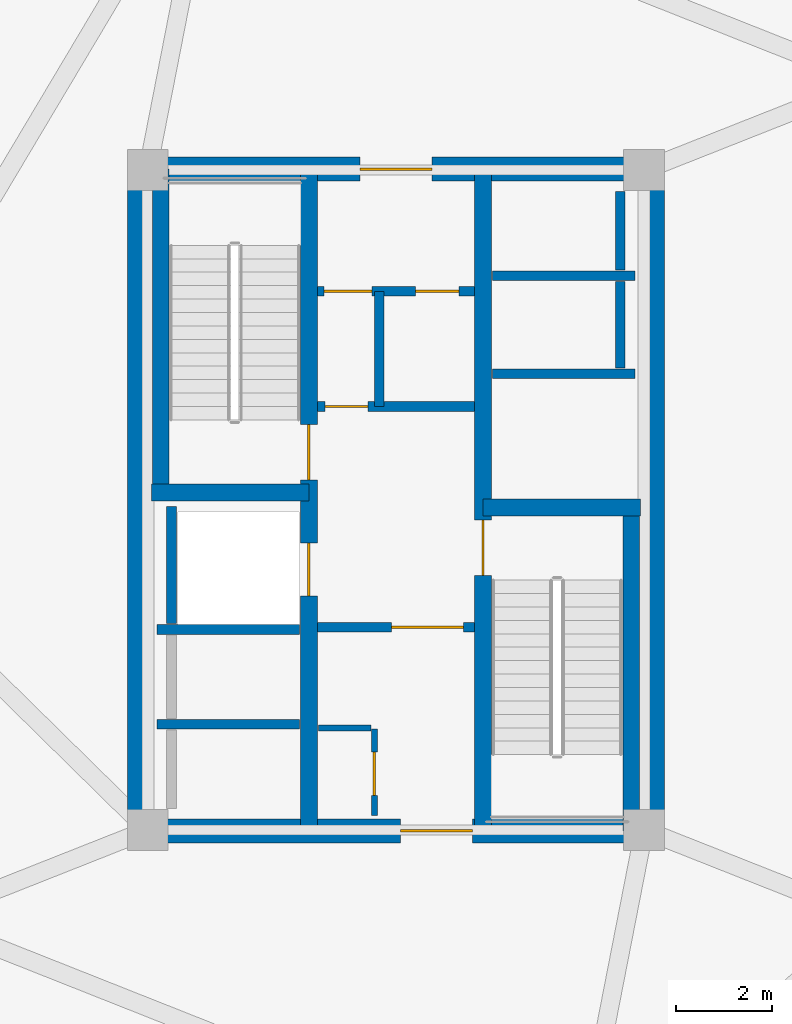
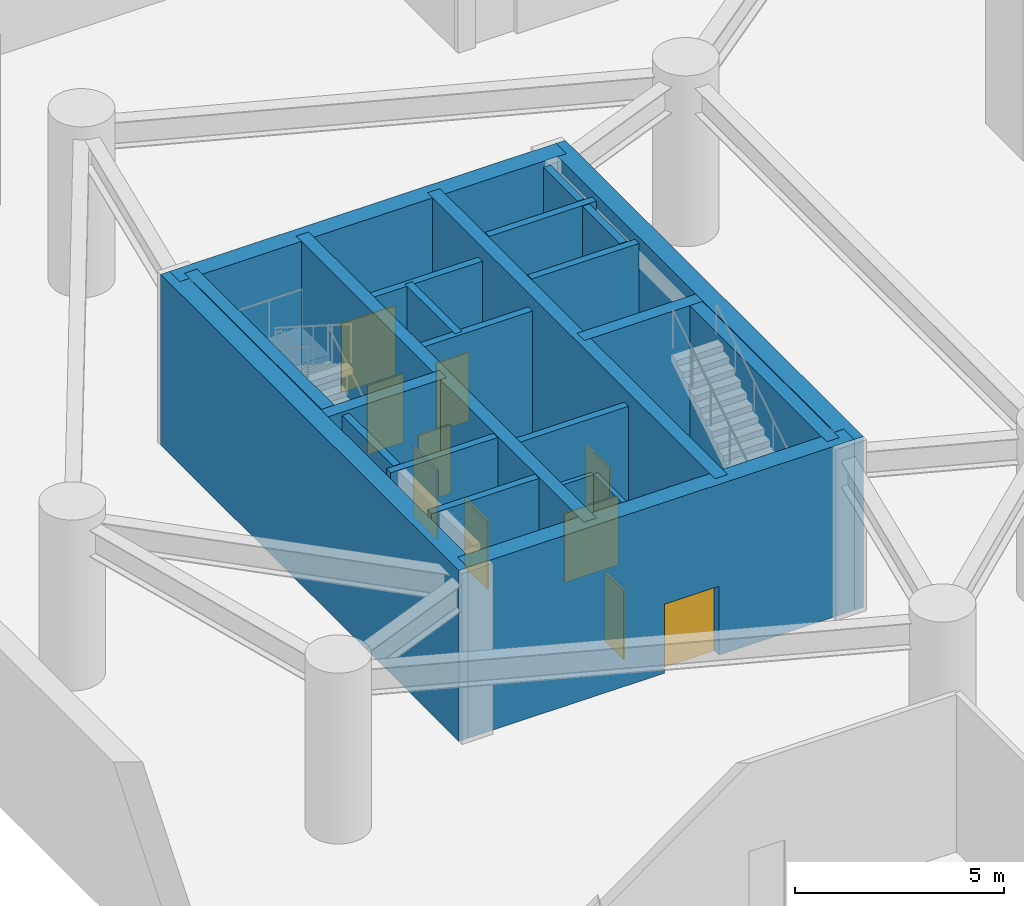
# One storey, part 5 of 14: 23 walls, 10 doors, 10 openings.
"""IFC4 building model written with IfcOpenShell, lengths in metres."""

from ifc_helpers import new_model, si_unit, direction, frame, frame_2d, origin, place, context, subcontext, project, spatial, rectangle, extrude, source, transform, mapped, material, layer, layer_set, type_object, element, fill, save


model = new_model("IFC4")

# Units and contexts
model_context = context("Model", 3, precision=1e-05, world=origin(), true_north=direction((0.0, 1.0)))
body_context = subcontext(model_context, "Body", "Model", "MODEL_VIEW")
ifc_project = project(units=[si_unit("LENGTHUNIT", "METRE"), si_unit("AREAUNIT", "SQUARE_METRE"), si_unit("VOLUMEUNIT", "CUBIC_METRE"), si_unit("PLANEANGLEUNIT", "RADIAN"), si_unit("MASSUNIT", "GRAM", prefix="KILO")], contexts=[model_context])

# Site, building, storey
site_placement = place(None, origin())
site = spatial("IfcSite", under=ifc_project, at=site_placement, CompositionType="ELEMENT")
building_placement = place(site_placement, origin())
building = spatial("IfcBuilding", under=site, at=building_placement, Name="Cununo Teusaquillo Station Towers", CompositionType="ELEMENT")
storey_placement = place(building_placement, frame((0.0, 0.0, -5.0)))
storey = spatial("IfcBuildingStorey", under=building, at=storey_placement, Name="B01", CompositionType="ELEMENT", Elevation=-5.0)

# Walls
ifc_material_1 = material(Name="Concrete C50/60", Category="concrete")
ifc_layer_1 = layer(ifc_material_1, 0.199951171875)
ifc_layer_set_1 = layer_set([ifc_layer_1], Name="Concrete C50/60")
wall_type_1 = type_object("IfcWallType", Name="WL-CORE-200", PredefinedType="SHEAR", material=ifc_layer_set_1)
wall_1_placement = place(storey_placement, frame((11.52001953125, 21.800048828125, 0.0), z_axis=(0.0, 0.0, 1.0), x_axis=(1.0, 0.0, 0.0)))
element("IfcWall", 1, at=wall_1_placement, inside=storey, type_object=wall_type_1, Name="B01 Tower A Firefighting Lift Shaft South Shear Wall", PredefinedType="SHEAR", context=body_context, shape_type="SweptSolid", body=[
    extrude(rectangle(XDim=2.969970703125, YDim=0.199951171875, at=frame_2d((1.48486328125, 0.0))), origin(), (0.0, 0.0, 1.0), 5.0),
])
wall_2_placement = place(storey_placement, frame((11.820068359375, 21.919921875, 0.0), z_axis=(0.0, 0.0, 1.0), x_axis=(0.0, 1.0, 0.0)))
element("IfcWall", 2, at=wall_2_placement, inside=storey, type_object=wall_type_1, Name="B01 Tower A Firefighting Lift Shaft Rear Shear Wall", PredefinedType="SHEAR", context=body_context, shape_type="SweptSolid", body=[
    extrude(rectangle(XDim=2.440185546875, YDim=0.199951171875, at=frame_2d((1.22021484375, 0.0))), origin(), (0.0, 0.0, 1.0), 5.0),
])
for number, where, z_axis, x_axis, name in (
    (3, (11.52001953125, 19.824951171875, 0.0), (0.0, 0.0, 1.0), (1.0, 0.0, 0.0), "B01 Tower A High-Rise Lift Hoistway Divider Shear Wall"),
    (4, (18.510009765625, 27.1298828125, 0.0), (0.0, 0.0, 1.0), (1.0, 0.0, 0.0), "B01 Tower A Low-Rise Lift Hoistway South Shear Wall"),
    (5, (18.510009765625, 29.175048828125, 0.0), (0.0, 0.0, 1.0), (1.0, 0.0, 0.0), "B01 Tower A Low-Rise Lift Hoistway Divider Shear Wall"),
):
    element("IfcWall", number, at=place(storey_placement, frame(where, z_axis=z_axis, x_axis=x_axis)), inside=storey, type_object=wall_type_1, Name=name, PredefinedType="SHEAR", context=body_context, shape_type="SweptSolid", body=[
        extrude(rectangle(XDim=2.969970703125, YDim=0.199951171875, at=frame_2d((1.48486328125, 0.0))), origin(), (0.0, 0.0, 1.0), 5.0),
    ])
wall_3_placement = place(storey_placement, frame((21.179931640625, 27.25, 0.0), z_axis=(0.0, 0.0, 1.0), x_axis=(0.0, 1.0, 0.0)))
element("IfcWall", 6, at=wall_3_placement, inside=storey, type_object=wall_type_1, Name="B01 Tower A Low-Rise Lift 1 Shaft Rear Shear Wall", PredefinedType="SHEAR", context=body_context, shape_type="SweptSolid", body=[
    extrude(rectangle(XDim=1.804931640625, YDim=0.199951171875, at=frame_2d((0.90234375, 0.0))), origin(), (0.0, 0.0, 1.0), 5.0),
])
wall_4_placement = place(storey_placement, frame((21.179931640625, 29.294921875, 0.0), z_axis=(0.0, 0.0, 1.0), x_axis=(0.0, 1.0, 0.0)))
element("IfcWall", 7, at=wall_4_placement, inside=storey, type_object=wall_type_1, Name="B01 Tower A Low-Rise Lift 2 Shaft Rear Shear Wall", PredefinedType="SHEAR", context=body_context, shape_type="SweptSolid", body=[
    extrude(rectangle(XDim=1.635009765625, YDim=0.199951171875, at=frame_2d((0.8173828125, 0.0))), origin(), (0.0, 0.0, 1.0), 5.0),
])

# Wall, openings, doors
ifc_material_2 = material(Name="Concrete C50/60", Category="concrete")
ifc_layer_2 = layer(ifc_material_2, 0.35009765625)
ifc_layer_set_2 = layer_set([ifc_layer_2], Name="Concrete C50/60")
wall_type_2 = type_object("IfcWallType", Name="WL-CORE-350", PredefinedType="SHEAR", material=ifc_layer_set_2)
wall_5_placement = place(storey_placement, frame((14.68505859375, 17.60009765625, 0.0), z_axis=(0.0, 0.0, 1.0), x_axis=(0.0, 1.0, 0.0)))
wall_5 = element("IfcWall", 8, at=wall_5_placement, inside=storey, type_object=wall_type_2, Name="B01 Tower A Core Shear Wall IW", PredefinedType="SHEAR", context=body_context, shape_type="SweptSolid", body=[
    extrude(rectangle(XDim=13.7998046875, YDim=0.35009765625, at=frame_2d((6.89990234375, 0.0))), origin(), (0.0, 0.0, 1.0), 5.0),
])
shared_shape_1 = source(origin(), body_context, "Body", "SweptSolid", [
    extrude(rectangle(XDim=1.10009765625, YDim=2.014892578125, at=frame_2d((0.550048828125, 1.00732421875))), frame((0.0, 0.18505859375, 0.0), z_axis=(0.0, -1.0, 0.0), x_axis=(1.0, 0.0, 0.0)), (0.0, 0.0, 1.0), 0.3701171875),
])
opening_1_placement = place(wall_5_placement, frame((4.89990234375, 0.0, 0.0)))
opening_1 = element("IfcOpeningElement", 9, at=opening_1_placement, cuts=wall_5, Name="Opening LD-01", PredefinedType="OPENING", context=body_context, shape_type="MappedRepresentation", body=[
    mapped(shared_shape_1, transform((0.0, 0.0, 0.0), x_axis=(1.0, 0.0, 0.0), y_axis=(0.0, 1.0, 0.0), z_axis=(0.0, 0.0, 1.0), scale=1.0)),
])
shared_shape_2 = source(origin(), body_context, "Body", "SweptSolid", [
    extrude(rectangle(XDim=1.14990234375, YDim=2.02001953125, at=frame_2d((0.574951171875, 1.010009765625))), frame((0.0, 0.18505859375, 0.0), z_axis=(0.0, -1.0, 0.0), x_axis=(1.0, 0.0, 0.0)), (0.0, 0.0, 1.0), 0.3701171875),
])
opening_2_placement = place(wall_5_placement, frame((7.320068359375, 0.0, 0.0)))
opening_2 = element("IfcOpeningElement", 10, at=opening_2_placement, cuts=wall_5, Name="Opening D-ST1", PredefinedType="OPENING", context=body_context, shape_type="MappedRepresentation", body=[
    mapped(shared_shape_2, transform((0.0, 0.0, 0.0), x_axis=(1.0, 0.0, 0.0), y_axis=(0.0, 1.0, 0.0), z_axis=(0.0, 0.0, 1.0), scale=1.0)),
])
ifc_material_3 = material(Name="Galvanised fire-rated hollow steel door assembly", Category="steel")
door_type_1 = type_object("IfcDoorType", Name="DR-LIFT-1100", OperationType="SLIDING_TO_LEFT", PredefinedType="DOOR", material=ifc_material_3)
shared_shape_3 = source(origin(), body_context, "Body", "SweptSolid", [
    extrude(rectangle(XDim=1.10009765625, YDim=2.014892578125, at=frame_2d((0.550048828125, 1.00732421875))), frame((0.0, 0.02490234375, 0.0), z_axis=(0.0, -1.0, 0.0), x_axis=(1.0, 0.0, 0.0)), (0.0, 0.0, 1.0), 0.050048828125),
])
door_1_placement = place(opening_1_placement, origin())
door_1 = element("IfcDoor", 11, at=door_1_placement, inside=storey, type_object=door_type_1, Name="B01 Lift FL-T1 Sliding Landing Door", OperationType="SLIDING_TO_RIGHT", OverallHeight=2.014892578125, OverallWidth=1.10009765625, PredefinedType="DOOR", context=body_context, shape_type="MappedRepresentation", body=[
    mapped(shared_shape_3, transform((0.0, 0.0, 0.0), x_axis=(1.0, 0.0, 0.0), y_axis=(0.0, 1.0, 0.0), z_axis=(0.0, 0.0, 1.0), scale=1.0)),
])
fill(opening_1, door_1)
ifc_material_4 = material(Name="Galvanised fire-rated hollow steel door assembly", Category="steel")
door_type_2 = type_object("IfcDoorType", Name="DR-STAIR-1150", OperationType="NOTDEFINED", PredefinedType="DOOR", material=ifc_material_4)
shared_shape_4 = source(origin(), body_context, "Body", "SweptSolid", [
    extrude(rectangle(XDim=1.14990234375, YDim=2.02001953125, at=frame_2d((0.574951171875, 1.010009765625))), frame((0.0, 0.02490234375, 0.0), z_axis=(0.0, -1.0, 0.0), x_axis=(1.0, 0.0, 0.0)), (0.0, 0.0, 1.0), 0.050048828125),
])
door_2_placement = place(opening_2_placement, origin())
door_2 = element("IfcDoor", 12, at=door_2_placement, inside=storey, type_object=door_type_2, Name="B01 Tower A Exit Stair 1 Fire Door", OperationType="SINGLE_SWING_RIGHT", OverallHeight=2.02001953125, OverallWidth=1.14990234375, PredefinedType="DOOR", context=body_context, shape_type="MappedRepresentation", body=[
    mapped(shared_shape_4, transform((0.0, 0.0, 0.0), x_axis=(1.0, 0.0, 0.0), y_axis=(0.0, 1.0, 0.0), z_axis=(0.0, 0.0, 1.0), scale=1.0)),
])
fill(opening_2, door_2)

# Wall, opening, door
wall_6_placement = place(storey_placement, frame((18.31494140625, 17.60009765625, 0.0), z_axis=(0.0, 0.0, 1.0), x_axis=(0.0, 1.0, 0.0)))
wall_6 = element("IfcWall", 13, at=wall_6_placement, inside=storey, type_object=wall_type_2, Name="B01 Tower A Core Shear Wall IE", PredefinedType="SHEAR", context=body_context, shape_type="SweptSolid", body=[
    extrude(rectangle(XDim=13.7998046875, YDim=0.35009765625, at=frame_2d((6.89990234375, 0.0))), origin(), (0.0, 0.0, 1.0), 5.0),
])
opening_3_placement = place(wall_6_placement, frame((5.330078125, 0.0, 0.0)))
opening_3 = element("IfcOpeningElement", 14, at=opening_3_placement, cuts=wall_6, Name="Opening D-ST1", PredefinedType="OPENING", context=body_context, shape_type="MappedRepresentation", body=[
    mapped(shared_shape_2, transform((0.0, 0.0, 0.0), x_axis=(1.0, 0.0, 0.0), y_axis=(0.0, 1.0, 0.0), z_axis=(0.0, 0.0, 1.0), scale=1.0)),
])
door_3_placement = place(opening_3_placement, origin())
door_3 = element("IfcDoor", 15, at=door_3_placement, inside=storey, type_object=door_type_2, Name="B01 Tower A Exit Stair 2 Fire Door", OperationType="SINGLE_SWING_LEFT", OverallHeight=2.02001953125, OverallWidth=1.14990234375, PredefinedType="DOOR", context=body_context, shape_type="MappedRepresentation", body=[
    mapped(shared_shape_4, transform((0.0, 0.0, 0.0), x_axis=(1.0, 0.0, 0.0), y_axis=(0.0, 1.0, 0.0), z_axis=(0.0, 0.0, 1.0), scale=1.0)),
])
fill(opening_3, door_3)

# Walls
wall_7_placement = place(storey_placement, frame((11.594970703125, 24.655029296875, 0.0), z_axis=(0.0, 0.0, 1.0), x_axis=(0.0, 1.0, 0.0)))
element("IfcWall", 16, at=wall_7_placement, inside=storey, type_object=wall_type_2, Name="B01 Tower A Core Shear Wall ST1W", PredefinedType="SHEAR", context=body_context, shape_type="SweptSolid", body=[
    extrude(rectangle(XDim=6.744873046875, YDim=0.35009765625, at=frame_2d((3.37255859375, 0.0))), origin(), (0.0, 0.0, 1.0), 5.0),
])
wall_8_placement = place(storey_placement, frame((11.39990234375, 24.655029296875, 0.0), z_axis=(0.0, 0.0, 1.0), x_axis=(1.0, 0.0, 0.0)))
element("IfcWall", 17, at=wall_8_placement, inside=storey, type_object=wall_type_2, Name="B01 Tower A Core Shear Wall ST1S", PredefinedType="SHEAR", context=body_context, shape_type="SweptSolid", body=[
    extrude(rectangle(XDim=3.28515625, YDim=0.35009765625, at=frame_2d((1.642578125, 0.0))), origin(), (0.0, 0.0, 1.0), 5.0),
])
wall_9_placement = place(storey_placement, frame((21.405029296875, 17.60009765625, 0.0), z_axis=(0.0, 0.0, 1.0), x_axis=(0.0, 1.0, 0.0)))
element("IfcWall", 18, at=wall_9_placement, inside=storey, type_object=wall_type_2, Name="B01 Tower A Core Shear Wall ST2E", PredefinedType="SHEAR", context=body_context, shape_type="SweptSolid", body=[
    extrude(rectangle(XDim=6.744873046875, YDim=0.35009765625, at=frame_2d((3.37255859375, 0.0))), origin(), (0.0, 0.0, 1.0), 5.0),
])
wall_10_placement = place(storey_placement, frame((18.31494140625, 24.344970703125, 0.0), z_axis=(0.0, 0.0, 1.0), x_axis=(1.0, 0.0, 0.0)))
element("IfcWall", 19, at=wall_10_placement, inside=storey, type_object=wall_type_2, Name="B01 Tower A Core Shear Wall ST2N", PredefinedType="SHEAR", context=body_context, shape_type="SweptSolid", body=[
    extrude(rectangle(XDim=3.28515625, YDim=0.35009765625, at=frame_2d((1.642578125, 0.0))), origin(), (0.0, 0.0, 1.0), 5.0),
])
ifc_material_5 = material(Name="Concrete C60/75", Category="concrete")
ifc_layer_3 = layer(ifc_material_5, 0.5)
ifc_layer_set_3 = layer_set([ifc_layer_3], Name="Concrete C60/75")
wall_type_3 = type_object("IfcWallType", Name="WL-CORE-500", PredefinedType="SHEAR", material=ifc_layer_set_3)
for number, where, z_axis, x_axis, name in (
    (20, (11.14990234375, 17.35009765625, 0.0), (0.0, 0.0, 1.0), (0.0, 1.0, 0.0), "B01 Tower A Core Shear Wall W"),
    (21, (21.85009765625, 17.35009765625, 0.0), (0.0, 0.0, 1.0), (0.0, 1.0, 0.0), "B01 Tower A Core Shear Wall E"),
):
    element("IfcWall", number, at=place(storey_placement, frame(where, z_axis=z_axis, x_axis=x_axis)), inside=storey, type_object=wall_type_3, Name=name, PredefinedType="SHEAR", context=body_context, shape_type="SweptSolid", body=[
        extrude(rectangle(XDim=14.2998046875, YDim=0.5, at=frame_2d((7.14990234375, 0.0))), origin(), (0.0, 0.0, 1.0), 5.0),
    ])

# Wall, opening, door
wall_11_placement = place(storey_placement, frame((11.14990234375, 17.60009765625, 0.0), z_axis=(0.0, 0.0, 1.0), x_axis=(1.0, 0.0, 0.0)))
wall_11 = element("IfcWall", 22, at=wall_11_placement, inside=storey, type_object=wall_type_3, Name="B01 Tower A Core Shear Wall S", PredefinedType="SHEAR", context=body_context, shape_type="SweptSolid", body=[
    extrude(rectangle(XDim=10.7001953125, YDim=0.5, at=frame_2d((5.35009765625, 0.0))), origin(), (0.0, 0.0, 1.0), 5.0),
])
shared_shape_5 = source(origin(), body_context, "Body", "SweptSolid", [
    extrude(rectangle(XDim=1.5, YDim=2.02001953125, at=frame_2d((0.75, 1.010009765625))), frame((0.0, 0.260009765625, 0.0), z_axis=(0.0, -1.0, 0.0), x_axis=(1.0, 0.0, 0.0)), (0.0, 0.0, 1.0), 0.52001953125),
])
opening_4_placement = place(wall_11_placement, frame((5.449951171875, 0.0, 0.0)))
opening_4 = element("IfcOpeningElement", 23, at=opening_4_placement, cuts=wall_11, Name="Opening D-LB1", PredefinedType="OPENING", context=body_context, shape_type="MappedRepresentation", body=[
    mapped(shared_shape_5, transform((0.0, 0.0, 0.0), x_axis=(1.0, 0.0, 0.0), y_axis=(0.0, 1.0, 0.0), z_axis=(0.0, 0.0, 1.0), scale=1.0)),
])
ifc_material_6 = material(Name="Galvanised fire-rated hollow steel door assembly", Category="steel")
door_type_3 = type_object("IfcDoorType", Name="DR-LOBBY-1500", OperationType="DOUBLE_DOOR_SINGLE_SWING", PredefinedType="DOOR", material=ifc_material_6)
shared_shape_6 = source(origin(), body_context, "Body", "SweptSolid", [
    extrude(rectangle(XDim=1.5, YDim=2.02001953125, at=frame_2d((0.75, 1.010009765625))), frame((0.0, 0.02490234375, 0.0), z_axis=(0.0, -1.0, 0.0), x_axis=(1.0, 0.0, 0.0)), (0.0, 0.0, 1.0), 0.050048828125),
])
door_4_placement = place(opening_4_placement, origin())
door_4 = element("IfcDoor", 24, at=door_4_placement, inside=storey, type_object=door_type_3, Name="B01 Tower A South Core Lift Lobby Door", OperationType="DOUBLE_DOOR_SINGLE_SWING", OverallHeight=2.02001953125, OverallWidth=1.5, PredefinedType="DOOR", context=body_context, shape_type="MappedRepresentation", body=[
    mapped(shared_shape_6, transform((0.0, 0.0, 0.0), x_axis=(1.0, 0.0, 0.0), y_axis=(0.0, 1.0, 0.0), z_axis=(0.0, 0.0, 1.0), scale=1.0)),
])
fill(opening_4, door_4)

wall_12_placement = place(storey_placement, frame((11.14990234375, 31.39990234375, 0.0), z_axis=(0.0, 0.0, 1.0), x_axis=(1.0, 0.0, 0.0)))
wall_12 = element("IfcWall", 25, at=wall_12_placement, inside=storey, type_object=wall_type_3, Name="B01 Tower A Core Shear Wall N", PredefinedType="SHEAR", context=body_context, shape_type="SweptSolid", body=[
    extrude(rectangle(XDim=10.7001953125, YDim=0.5, at=frame_2d((5.35009765625, 0.0))), origin(), (0.0, 0.0, 1.0), 5.0),
])
opening_5_placement = place(wall_12_placement, frame((4.60009765625, 0.0, 0.0)))
opening_5 = element("IfcOpeningElement", 26, at=opening_5_placement, cuts=wall_12, Name="Opening D-LB1", PredefinedType="OPENING", context=body_context, shape_type="MappedRepresentation", body=[
    mapped(shared_shape_5, transform((0.0, 0.0, 0.0), x_axis=(1.0, 0.0, 0.0), y_axis=(0.0, 1.0, 0.0), z_axis=(0.0, 0.0, 1.0), scale=1.0)),
])
door_5_placement = place(opening_5_placement, origin())
door_5 = element("IfcDoor", 27, at=door_5_placement, inside=storey, type_object=door_type_3, Name="B01 Tower A North Core Lift Lobby Door", OperationType="DOUBLE_DOOR_SINGLE_SWING", OverallHeight=2.02001953125, OverallWidth=1.5, PredefinedType="DOOR", context=body_context, shape_type="MappedRepresentation", body=[
    mapped(shared_shape_6, transform((0.0, 0.0, 0.0), x_axis=(1.0, 0.0, 0.0), y_axis=(0.0, 1.0, 0.0), z_axis=(0.0, 0.0, 1.0), scale=1.0)),
])
fill(opening_5, door_5)

ifc_material_7 = material(Name="Fire-rated gypsum plasterboard partition assembly", Category="gypsum")
ifc_layer_4 = layer(ifc_material_7, 0.125)
ifc_layer_set_4 = layer_set([ifc_layer_4], Name="Fire-rated gypsum plasterboard partition assembly")
wall_type_4 = type_object("IfcWallType", Name="WL-PART-125", PredefinedType="PARTITIONING", material=ifc_layer_set_4)
wall_13_placement = place(storey_placement, frame((16.050048828125, 17.919921875, 0.0), z_axis=(0.0, 0.0, 1.0), x_axis=(0.0, 1.0, 0.0)))
wall_13 = element("IfcWall", 28, at=wall_13_placement, inside=storey, type_object=wall_type_4, Name="B01 Tower A South-West Compact Store East Wall", PredefinedType="PARTITIONING", context=body_context, shape_type="SweptSolid", body=[
    extrude(rectangle(XDim=1.800048828125, YDim=0.125, at=frame_2d((0.89990234375, 0.0))), origin(), (0.0, 0.0, 1.0), 4.60498046875),
])
shared_shape_7 = source(origin(), body_context, "Body", "SweptSolid", [
    extrude(rectangle(XDim=0.89990234375, YDim=2.0048828125, at=frame_2d((0.449951171875, 1.00244140625))), frame((0.0, 0.072509765625, 0.0), z_axis=(0.0, -1.0, 0.0), x_axis=(1.0, 0.0, 0.0)), (0.0, 0.0, 1.0), 0.14501953125),
])
opening_6_placement = place(wall_13_placement, frame((0.419921875, 0.0, 0.0)))
opening_6 = element("IfcOpeningElement", 29, at=opening_6_placement, cuts=wall_13, Name="Opening D-SR1", PredefinedType="OPENING", context=body_context, shape_type="MappedRepresentation", body=[
    mapped(shared_shape_7, transform((0.0, 0.0, 0.0), x_axis=(1.0, 0.0, 0.0), y_axis=(0.0, 1.0, 0.0), z_axis=(0.0, 0.0, 1.0), scale=1.0)),
])
ifc_material_8 = material(Name="Galvanised fire-rated hollow steel door assembly", Category="steel")
door_type_4 = type_object("IfcDoorType", Name="DR-STORE-900", OperationType="NOTDEFINED", PredefinedType="DOOR", material=ifc_material_8)
shared_shape_8 = source(origin(), body_context, "Body", "SweptSolid", [
    extrude(rectangle(XDim=0.89990234375, YDim=2.0048828125, at=frame_2d((0.449951171875, 1.00244140625))), frame((0.0, 0.02490234375, 0.0), z_axis=(0.0, -1.0, 0.0), x_axis=(1.0, 0.0, 0.0)), (0.0, 0.0, 1.0), 0.050048828125),
])
door_6_placement = place(opening_6_placement, origin())
door_6 = element("IfcDoor", 30, at=door_6_placement, inside=storey, type_object=door_type_4, Name="B01 Tower A Core Electrical & Comms Store Door", OperationType="SINGLE_SWING_RIGHT", OverallHeight=2.0048828125, OverallWidth=0.89990234375, PredefinedType="DOOR", context=body_context, shape_type="MappedRepresentation", body=[
    mapped(shared_shape_8, transform((0.0, 0.0, 0.0), x_axis=(1.0, 0.0, 0.0), y_axis=(0.0, 1.0, 0.0), z_axis=(0.0, 0.0, 1.0), scale=1.0)),
])
fill(opening_6, door_6)

# Wall
wall_14_placement = place(storey_placement, frame((14.8798828125, 19.75, 0.0), z_axis=(0.0, 0.0, 1.0), x_axis=(1.0, 0.0, 0.0)))
element("IfcWall", 31, at=wall_14_placement, inside=storey, type_object=wall_type_4, Name="B01 Tower A South-West Compact Store North Wall", PredefinedType="PARTITIONING", context=body_context, shape_type="SweptSolid", body=[
    extrude(rectangle(XDim=1.10009765625, YDim=0.125, at=frame_2d((0.550048828125, 0.0))), origin(), (0.0, 0.0, 1.0), 4.60498046875),
])

# Wall, opening, door
ifc_material_9 = material(Name="Fire-rated gypsum plasterboard partition assembly", Category="gypsum")
ifc_layer_5 = layer(ifc_material_9, 0.199951171875)
ifc_layer_set_5 = layer_set([ifc_layer_5], Name="Fire-rated gypsum plasterboard partition assembly")
wall_type_5 = type_object("IfcWallType", Name="WL-PART-200", PredefinedType="PARTITIONING", material=ifc_layer_set_5)
wall_15_placement = place(storey_placement, frame((14.860107421875, 21.85009765625, 0.0), z_axis=(0.0, 0.0, 1.0), x_axis=(1.0, 0.0, 0.0)))
wall_15 = element("IfcWall", 32, at=wall_15_placement, inside=storey, type_object=wall_type_5, Name="B01 Tower A Firefighting Lift Lobby South Fire Wall", PredefinedType="PARTITIONING", context=body_context, shape_type="SweptSolid", body=[
    extrude(rectangle(XDim=3.27978515625, YDim=0.199951171875, at=frame_2d((1.639892578125, 0.0))), origin(), (0.0, 0.0, 1.0), 4.60498046875),
])
shared_shape_9 = source(origin(), body_context, "Body", "SweptSolid", [
    extrude(rectangle(XDim=1.5, YDim=2.02001953125, at=frame_2d((0.75, 1.010009765625))), frame((0.0, 0.10986328125, 0.0), z_axis=(0.0, -1.0, 0.0), x_axis=(1.0, 0.0, 0.0)), (0.0, 0.0, 1.0), 0.219970703125),
])
opening_7_placement = place(wall_15_placement, frame((1.550048828125, 0.0, 0.0)))
opening_7 = element("IfcOpeningElement", 33, at=opening_7_placement, cuts=wall_15, Name="Opening D-LB1", PredefinedType="OPENING", context=body_context, shape_type="MappedRepresentation", body=[
    mapped(shared_shape_9, transform((0.0, 0.0, 0.0), x_axis=(1.0, 0.0, 0.0), y_axis=(0.0, 1.0, 0.0), z_axis=(0.0, 0.0, 1.0), scale=1.0)),
])
door_7_placement = place(opening_7_placement, origin())
door_7 = element("IfcDoor", 34, at=door_7_placement, inside=storey, type_object=door_type_3, Name="B01 Tower A Firefighting Lift Lobby South Fire Door", OperationType="DOUBLE_DOOR_SINGLE_SWING", OverallHeight=2.02001953125, OverallWidth=1.5, PredefinedType="DOOR", context=body_context, shape_type="MappedRepresentation", body=[
    mapped(shared_shape_6, transform((0.0, 0.0, 0.0), x_axis=(1.0, 0.0, 0.0), y_axis=(0.0, 1.0, 0.0), z_axis=(0.0, 0.0, 1.0), scale=1.0)),
])
fill(opening_7, door_7)

wall_16_placement = place(storey_placement, frame((14.860107421875, 26.449951171875, 0.0), z_axis=(0.0, 0.0, 1.0), x_axis=(1.0, 0.0, 0.0)))
wall_16 = element("IfcWall", 35, at=wall_16_placement, inside=storey, type_object=wall_type_5, Name="B01 Tower A Firefighting Lift Lobby North Fire Wall", PredefinedType="PARTITIONING", context=body_context, shape_type="SweptSolid", body=[
    extrude(rectangle(XDim=3.27978515625, YDim=0.199951171875, at=frame_2d((1.639892578125, 0.0))), origin(), (0.0, 0.0, 1.0), 4.60498046875),
])
shared_shape_10 = source(origin(), body_context, "Body", "SweptSolid", [
    extrude(rectangle(XDim=0.89990234375, YDim=2.0048828125, at=frame_2d((0.449951171875, 1.00244140625))), frame((0.0, 0.10986328125, 0.0), z_axis=(0.0, -1.0, 0.0), x_axis=(1.0, 0.0, 0.0)), (0.0, 0.0, 1.0), 0.219970703125),
])
opening_8_placement = place(wall_16_placement, frame((0.159912109375, 0.0, 0.0)))
opening_8 = element("IfcOpeningElement", 36, at=opening_8_placement, cuts=wall_16, Name="Opening D-SR1", PredefinedType="OPENING", context=body_context, shape_type="MappedRepresentation", body=[
    mapped(shared_shape_10, transform((0.0, 0.0, 0.0), x_axis=(1.0, 0.0, 0.0), y_axis=(0.0, 1.0, 0.0), z_axis=(0.0, 0.0, 1.0), scale=1.0)),
])
door_8_placement = place(opening_8_placement, origin())
door_8 = element("IfcDoor", 37, at=door_8_placement, inside=storey, type_object=door_type_4, Name="B01 Tower A Stair 1 Protected Vestibule South Door", OperationType="SINGLE_SWING_RIGHT", OverallHeight=2.0048828125, OverallWidth=0.89990234375, PredefinedType="DOOR", context=body_context, shape_type="MappedRepresentation", body=[
    mapped(shared_shape_8, transform((0.0, 0.0, 0.0), x_axis=(1.0, 0.0, 0.0), y_axis=(0.0, 1.0, 0.0), z_axis=(0.0, 0.0, 1.0), scale=1.0)),
])
fill(opening_8, door_8)

# Wall
wall_17_placement = place(storey_placement, frame((16.14990234375, 26.449951171875, 0.0), z_axis=(0.0, 0.0, 1.0), x_axis=(0.0, 1.0, 0.0)))
element("IfcWall", 38, at=wall_17_placement, inside=storey, type_object=wall_type_5, Name="B01 Tower A Stair 1 Vestibule Partition Wall", PredefinedType="PARTITIONING", context=body_context, shape_type="SweptSolid", body=[
    extrude(rectangle(XDim=2.400146484375, YDim=0.199951171875, at=frame_2d((1.2001953125, 0.0))), origin(), (0.0, 0.0, 1.0), 4.60498046875),
])

# Wall, openings, doors
wall_18_placement = place(storey_placement, frame((14.860107421875, 28.85009765625, 0.0), z_axis=(0.0, 0.0, 1.0), x_axis=(1.0, 0.0, 0.0)))
wall_18 = element("IfcWall", 39, at=wall_18_placement, inside=storey, type_object=wall_type_5, Name="B01 Tower A North Lift Lobby South Fire Wall", PredefinedType="PARTITIONING", context=body_context, shape_type="SweptSolid", body=[
    extrude(rectangle(XDim=3.27978515625, YDim=0.199951171875, at=frame_2d((1.639892578125, 0.0))), origin(), (0.0, 0.0, 1.0), 4.60498046875),
])
shared_shape_11 = source(origin(), body_context, "Body", "SweptSolid", [
    extrude(rectangle(XDim=1.0, YDim=2.014892578125, at=frame_2d((0.5, 1.00732421875))), frame((0.0, 0.10986328125, 0.0), z_axis=(0.0, -1.0, 0.0), x_axis=(1.0, 0.0, 0.0)), (0.0, 0.0, 1.0), 0.219970703125),
])
opening_9_placement = place(wall_18_placement, frame((0.139892578125, 0.0, 0.0)))
opening_9 = element("IfcOpeningElement", 40, at=opening_9_placement, cuts=wall_18, Name="Opening D-AC1", PredefinedType="OPENING", context=body_context, shape_type="MappedRepresentation", body=[
    mapped(shared_shape_11, transform((0.0, 0.0, 0.0), x_axis=(1.0, 0.0, 0.0), y_axis=(0.0, 1.0, 0.0), z_axis=(0.0, 0.0, 1.0), scale=1.0)),
])
opening_10_placement = place(wall_18_placement, frame((2.050048828125, 0.0, 0.0)))
opening_10 = element("IfcOpeningElement", 41, at=opening_10_placement, cuts=wall_18, Name="Opening D-SR1", PredefinedType="OPENING", context=body_context, shape_type="MappedRepresentation", body=[
    mapped(shared_shape_10, transform((0.0, 0.0, 0.0), x_axis=(1.0, 0.0, 0.0), y_axis=(0.0, 1.0, 0.0), z_axis=(0.0, 0.0, 1.0), scale=1.0)),
])
door_9_placement = place(opening_10_placement, origin())
door_9 = element("IfcDoor", 42, at=door_9_placement, inside=storey, type_object=door_type_4, Name="B01 Tower A Core Housekeeping & Linen Store Door", OperationType="SINGLE_SWING_LEFT", OverallHeight=2.0048828125, OverallWidth=0.89990234375, PredefinedType="DOOR", context=body_context, shape_type="MappedRepresentation", body=[
    mapped(shared_shape_8, transform((0.0, 0.0, 0.0), x_axis=(1.0, 0.0, 0.0), y_axis=(0.0, 1.0, 0.0), z_axis=(0.0, 0.0, 1.0), scale=1.0)),
])
fill(opening_10, door_9)
ifc_material_10 = material(Name="Acoustic solid-core hardwood leaf assembly", Category="wood")
door_type_5 = type_object("IfcDoorType", Name="DR-ACC-1000", OperationType="NOTDEFINED", PredefinedType="DOOR", material=ifc_material_10)
shared_shape_12 = source(origin(), body_context, "Body", "SweptSolid", [
    extrude(rectangle(XDim=1.0, YDim=2.014892578125, at=frame_2d((0.5, 1.00732421875))), frame((0.0, 0.02490234375, 0.0), z_axis=(0.0, -1.0, 0.0), x_axis=(1.0, 0.0, 0.0)), (0.0, 0.0, 1.0), 0.050048828125),
])
door_10_placement = place(opening_9_placement, origin())
door_10 = element("IfcDoor", 43, at=door_10_placement, inside=storey, type_object=door_type_5, Name="B01 Tower A North Lift Lobby to Stair 1 Vestibule Door", OperationType="SINGLE_SWING_LEFT", OverallHeight=2.014892578125, OverallWidth=1.0, PredefinedType="DOOR", context=body_context, shape_type="MappedRepresentation", body=[
    mapped(shared_shape_12, transform((0.0, 0.0, 0.0), x_axis=(1.0, 0.0, 0.0), y_axis=(0.0, 1.0, 0.0), z_axis=(0.0, 0.0, 1.0), scale=1.0)),
])
fill(opening_9, door_10)

save(model, "model.ifc")
